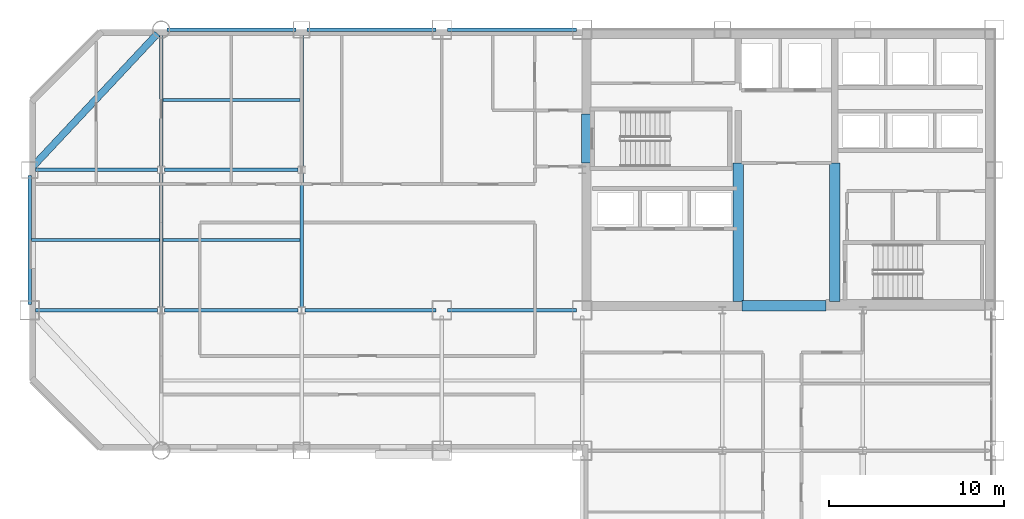
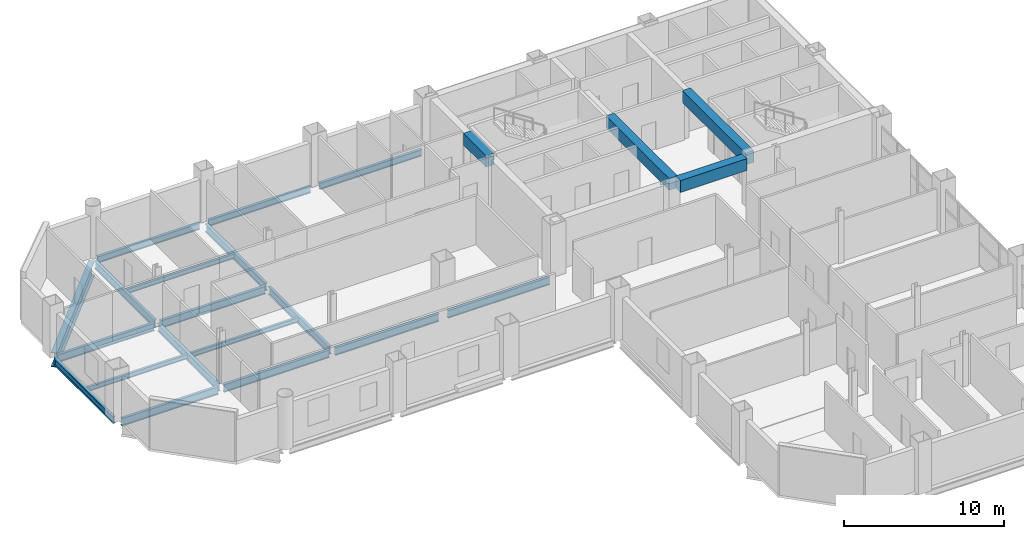
# One storey, part 9 of 16: 22 beams.
"""IFC4 building model written with IfcOpenShell, lengths in metres."""

from ifc_helpers import new_model, si_unit, direction, frame, origin, origin_2d, place, context, subcontext, project, spatial, rectangle, i_section, extrude, material, material_profile, profile_set, type_object, element, save


model = new_model("IFC4")

# Units and contexts
model_context = context("Model", 3, precision=1e-05, world=origin(), true_north=direction((0.0, 1.0)))
body_context = subcontext(model_context, "Body", "Model", "MODEL_VIEW")
ifc_project = project(units=[si_unit("LENGTHUNIT", "METRE"), si_unit("AREAUNIT", "SQUARE_METRE"), si_unit("VOLUMEUNIT", "CUBIC_METRE"), si_unit("PLANEANGLEUNIT", "RADIAN"), si_unit("MASSUNIT", "GRAM", prefix="KILO")], contexts=[model_context])

# Site, building, storey
site_placement = place(None, origin())
site = spatial("IfcSite", under=ifc_project, at=site_placement, CompositionType="ELEMENT")
building_placement = place(site_placement, origin())
building = spatial("IfcBuilding", under=site, at=building_placement, Name="Qianrong Seaharbour Tower", CompositionType="ELEMENT")
storey_placement = place(building_placement, frame((0.0, 0.0, 127.0)))
storey = spatial("IfcBuildingStorey", under=building, at=storey_placement, Name="L30", CompositionType="ELEMENT", Elevation=127.0)

# Beams
ifc_material_1 = material(Name="Structural steel SN490B", Category="steel")
ifc_material_profile_1 = material_profile(ifc_material_1, i_section(OverallWidth=0.199951171875, OverallDepth=0.60009765625, WebThickness=0.010986328125, FlangeThickness=0.01708984375, FilletRadius=0.02197265625, at=origin_2d()), Name="H600x200x11x17")
ifc_profile_set_1 = profile_set([ifc_material_profile_1], Name="Structural steel SN490B")
beam_type_1 = type_object("IfcBeamType", Name="BM-G-600", PredefinedType="BEAM", material=ifc_profile_set_1)
beam_1_placement = place(storey_placement, frame((9.320068359375, 36.0, -0.534912109375), z_axis=(1.0, 0.0, 0.0), x_axis=(0.0, 1.0, 0.0)))
element("IfcBeam", 1, at=beam_1_placement, inside=storey, type_object=beam_type_1, Name="L30 Primary Girder GF G2-G3", PredefinedType="BEAM", context=body_context, shape_type="SweptSolid", body=[
    extrude(i_section(OverallWidth=0.199951171875, OverallDepth=0.60009765625, WebThickness=0.010986328125, FlangeThickness=0.01708984375, FilletRadius=0.02197265625, at=origin_2d()), origin(), (0.0, 0.0, 1.0), 6.97998046875),
])
beam_2_placement = place(storey_placement, frame((16.699951171875, 36.0, -0.534912109375), z_axis=(1.0, 0.0, 0.0), x_axis=(0.0, 1.0, 0.0)))
element("IfcBeam", 2, at=beam_2_placement, inside=storey, type_object=beam_type_1, Name="L30 Primary Girder GF G3-G4", PredefinedType="BEAM", context=body_context, shape_type="SweptSolid", body=[
    extrude(i_section(OverallWidth=0.199951171875, OverallDepth=0.60009765625, WebThickness=0.010986328125, FlangeThickness=0.01708984375, FilletRadius=0.02197265625, at=origin_2d()), origin(), (0.0, 0.0, 1.0), 7.60009765625),
])
beam_3_placement = place(storey_placement, frame((24.699951171875, 36.0, -0.534912109375), z_axis=(1.0, 0.0, 0.0), x_axis=(0.0, 1.0, 0.0)))
element("IfcBeam", 3, at=beam_3_placement, inside=storey, type_object=beam_type_1, Name="L30 Primary Girder GF G4-G5", PredefinedType="BEAM", context=body_context, shape_type="SweptSolid", body=[
    extrude(i_section(OverallWidth=0.199951171875, OverallDepth=0.60009765625, WebThickness=0.010986328125, FlangeThickness=0.01708984375, FilletRadius=0.02197265625, at=origin_2d()), origin(), (0.0, 0.0, 1.0), 7.47998046875),
])
beam_4_placement = place(storey_placement, frame((32.820068359375, 36.0, -0.534912109375), z_axis=(1.0, 0.0, 0.0), x_axis=(0.0, 1.0, 0.0)))
element("IfcBeam", 4, at=beam_4_placement, inside=storey, type_object=beam_type_1, Name="L30 Primary Girder GF G5-G6", PredefinedType="BEAM", context=body_context, shape_type="SweptSolid", body=[
    extrude(i_section(OverallWidth=0.199951171875, OverallDepth=0.60009765625, WebThickness=0.010986328125, FlangeThickness=0.01708984375, FilletRadius=0.02197265625, at=origin_2d()), origin(), (0.0, 0.0, 1.0), 7.35986328125),
])
beam_5_placement = place(storey_placement, frame((9.320068359375, 44.0, -0.534912109375), z_axis=(1.0, 0.0, 0.0), x_axis=(0.0, 1.0, 0.0)))
element("IfcBeam", 5, at=beam_5_placement, inside=storey, type_object=beam_type_1, Name="L30 Primary Girder GG G2-G3", PredefinedType="BEAM", context=body_context, shape_type="SweptSolid", body=[
    extrude(i_section(OverallWidth=0.199951171875, OverallDepth=0.60009765625, WebThickness=0.010986328125, FlangeThickness=0.01708984375, FilletRadius=0.02197265625, at=origin_2d()), origin(), (0.0, 0.0, 1.0), 6.97998046875),
])
for number, where, z_axis, x_axis, name in (
    (6, (16.699951171875, 44.0, -0.534912109375), (1.0, 0.0, 0.0), (0.0, 1.0, 0.0), "L30 Primary Girder GG G3-G4"),
    (7, (16.5, 36.199951171875, -0.534912109375), (0.0, 1.0, 0.0), (-1.0, 0.0, 0.0), "L30 Primary Girder G3 GF-GG"),
):
    element("IfcBeam", number, at=place(storey_placement, frame(where, z_axis=z_axis, x_axis=x_axis)), inside=storey, type_object=beam_type_1, Name=name, PredefinedType="BEAM", context=body_context, shape_type="SweptSolid", body=[
        extrude(i_section(OverallWidth=0.199951171875, OverallDepth=0.60009765625, WebThickness=0.010986328125, FlangeThickness=0.01708984375, FilletRadius=0.02197265625, at=origin_2d()), origin(), (0.0, 0.0, 1.0), 7.60009765625),
    ])
beam_6_placement = place(storey_placement, frame((16.5, 44.199951171875, -0.534912109375), z_axis=(0.0, 1.0, 0.0), x_axis=(-1.0, 0.0, 0.0)))
element("IfcBeam", 8, at=beam_6_placement, inside=storey, type_object=beam_type_1, Name="L30 Primary Girder G3 GG-GH", PredefinedType="BEAM", context=body_context, shape_type="SweptSolid", body=[
    extrude(i_section(OverallWidth=0.199951171875, OverallDepth=0.60009765625, WebThickness=0.010986328125, FlangeThickness=0.01708984375, FilletRadius=0.02197265625, at=origin_2d()), origin(), (0.0, 0.0, 1.0), 7.47998046875),
])
beam_7_placement = place(storey_placement, frame((24.5, 36.199951171875, -0.534912109375), z_axis=(0.0, 1.0, 0.0), x_axis=(-1.0, 0.0, 0.0)))
element("IfcBeam", 9, at=beam_7_placement, inside=storey, type_object=beam_type_1, Name="L30 Primary Girder G4 GF-GG", PredefinedType="BEAM", context=body_context, shape_type="SweptSolid", body=[
    extrude(i_section(OverallWidth=0.199951171875, OverallDepth=0.60009765625, WebThickness=0.010986328125, FlangeThickness=0.01708984375, FilletRadius=0.02197265625, at=origin_2d()), origin(), (0.0, 0.0, 1.0), 7.60009765625),
])
beam_8_placement = place(storey_placement, frame((24.5, 44.199951171875, -0.534912109375), z_axis=(0.0, 1.0, 0.0), x_axis=(-1.0, 0.0, 0.0)))
element("IfcBeam", 10, at=beam_8_placement, inside=storey, type_object=beam_type_1, Name="L30 Primary Girder G4 GG-GH", PredefinedType="BEAM", context=body_context, shape_type="SweptSolid", body=[
    extrude(i_section(OverallWidth=0.199951171875, OverallDepth=0.60009765625, WebThickness=0.010986328125, FlangeThickness=0.01708984375, FilletRadius=0.02197265625, at=origin_2d()), origin(), (0.0, 0.0, 1.0), 7.47998046875),
])
ifc_material_2 = material(Name="Structural steel SN400B", Category="steel")
ifc_material_profile_2 = material_profile(ifc_material_2, i_section(OverallWidth=0.175048828125, OverallDepth=0.35009765625, WebThickness=0.007080078125, FlangeThickness=0.010986328125, FilletRadius=0.013916015625, at=origin_2d()), Name="H350x175x7x11")
ifc_profile_set_2 = profile_set([ifc_material_profile_2], Name="Structural steel SN400B")
beam_type_2 = type_object("IfcBeamType", Name="BM-J-350", PredefinedType="JOIST", material=ifc_profile_set_2)
beam_9_placement = place(storey_placement, frame((9.10009765625, 40.0, -0.409912109375), z_axis=(1.0, 0.0, 0.0), x_axis=(0.0, 1.0, 0.0)))
element("IfcBeam", 11, at=beam_9_placement, inside=storey, type_object=beam_type_2, Name="L30 Composite Floor Joist G2-G3/GF-GG", PredefinedType="JOIST", context=body_context, shape_type="SweptSolid", body=[
    extrude(i_section(OverallWidth=0.175048828125, OverallDepth=0.35009765625, WebThickness=0.007080078125, FlangeThickness=0.010986328125, FilletRadius=0.013916015625, at=origin_2d()), origin(), (0.0, 0.0, 1.0), 7.2998046875),
])
for number, where, z_axis, x_axis, name in (
    (12, (16.60009765625, 40.0, -0.409912109375), (1.0, 0.0, 0.0), (0.0, 1.0, 0.0), "L30 Composite Floor Joist G3-G4/GF-GG"),
    (13, (16.60009765625, 48.0, -0.409912109375), (1.0, 0.0, 0.0), (0.0, 1.0, 0.0), "L30 Composite Floor Joist G3-G4/GG-GH"),
):
    element("IfcBeam", number, at=place(storey_placement, frame(where, z_axis=z_axis, x_axis=x_axis)), inside=storey, type_object=beam_type_2, Name=name, PredefinedType="JOIST", context=body_context, shape_type="SweptSolid", body=[
        extrude(i_section(OverallWidth=0.175048828125, OverallDepth=0.35009765625, WebThickness=0.007080078125, FlangeThickness=0.010986328125, FilletRadius=0.013916015625, at=origin_2d()), origin(), (0.0, 0.0, 1.0), 7.7998046875),
    ])
ifc_material_3 = material(Name="Concrete C70/85", Category="concrete")
ifc_material_profile_3 = material_profile(ifc_material_3, rectangle(XDim=0.60009765625, YDim=0.89990234375, at=origin_2d()), Name="RC600x900")
ifc_profile_set_3 = profile_set([ifc_material_profile_3], Name="Concrete C70/85")
beam_type_3 = type_object("IfcBeamType", Name="BM-LINTEL-900", PredefinedType="LINTEL", material=ifc_profile_set_3)
beam_10_placement = place(storey_placement, frame((40.75, 44.39990234375, 3.31494140625), z_axis=(0.0, 1.0, 0.0), x_axis=(-1.0, 0.0, 0.0)))
element("IfcBeam", 14, at=beam_10_placement, inside=storey, type_object=beam_type_3, Name="L30 Core Coupling Lintel Beam West", PredefinedType="LINTEL", context=body_context, shape_type="SweptSolid", body=[
    extrude(rectangle(XDim=0.60009765625, YDim=0.89990234375, at=origin_2d()), origin(), (0.0, 0.0, 1.0), 2.800048828125),
])
beam_11_placement = place(storey_placement, frame((49.60009765625, 36.25, 3.31494140625), z_axis=(1.0, 0.0, 0.0), x_axis=(0.0, 1.0, 0.0)))
element("IfcBeam", 15, at=beam_11_placement, inside=storey, type_object=beam_type_3, Name="L30 Core Coupling Lintel Beam CBC", PredefinedType="LINTEL", context=body_context, shape_type="SweptSolid", body=[
    extrude(rectangle(XDim=0.60009765625, YDim=0.89990234375, at=origin_2d()), origin(), (0.0, 0.0, 1.0), 4.7998046875),
])
for number, where, z_axis, x_axis, name in (
    (16, (49.39990234375, 36.5, 3.31494140625), (0.0, 1.0, 0.0), (-1.0, 0.0, 0.0), "L30 Internal Core Coupling Beam IW1"),
    (17, (54.89990234375, 36.5, 3.31494140625), (0.0, 1.0, 0.0), (-1.0, 0.0, 0.0), "L30 Internal Core Coupling Beam IW2"),
):
    element("IfcBeam", number, at=place(storey_placement, frame(where, z_axis=z_axis, x_axis=x_axis)), inside=storey, type_object=beam_type_3, Name=name, PredefinedType="LINTEL", context=body_context, shape_type="SweptSolid", body=[
        extrude(rectangle(XDim=0.60009765625, YDim=0.89990234375, at=origin_2d()), origin(), (0.0, 0.0, 1.0), 7.89990234375),
    ])
ifc_material_profile_4 = material_profile(ifc_material_1, i_section(OverallWidth=0.199951171875, OverallDepth=0.5, WebThickness=0.010009765625, FlangeThickness=0.01611328125, FilletRadius=0.02001953125, at=origin_2d()), Name="H500x200x10x16")
ifc_profile_set_4 = profile_set([ifc_material_profile_4], Name="Structural steel SN490B")
beam_type_4 = type_object("IfcBeamType", Name="BM-SP-500", PredefinedType="SPANDREL", material=ifc_profile_set_4)
for number, where, z_axis, x_axis, name in (
    (18, (16.820068359375, 52.0, -0.485107421875), (1.0, 0.0, 0.0), (0.0, 1.0, 0.0), "L30 Spandrel Girder GH G3-G4"),
    (19, (24.820068359375, 52.0, -0.485107421875), (1.0, 0.0, 0.0), (0.0, 1.0, 0.0), "L30 Spandrel Girder GH G4-G5"),
    (20, (32.820068359375, 52.0, -0.485107421875), (1.0, 0.0, 0.0), (0.0, 1.0, 0.0), "L30 Spandrel Girder GH G5-G6"),
    (21, (9.0, 36.320068359375, -0.485107421875), (0.0, 1.0, 0.0), (-1.0, 0.0, 0.0), "L30 Spandrel Girder G2 GF-GG"),
):
    element("IfcBeam", number, at=place(storey_placement, frame(where, z_axis=z_axis, x_axis=x_axis)), inside=storey, type_object=beam_type_4, Name=name, PredefinedType="SPANDREL", context=body_context, shape_type="SweptSolid", body=[
        extrude(i_section(OverallWidth=0.199951171875, OverallDepth=0.5, WebThickness=0.010009765625, FlangeThickness=0.01611328125, FilletRadius=0.02001953125, at=origin_2d()), origin(), (0.0, 0.0, 1.0), 7.35986328125),
    ])
ifc_material_profile_5 = material_profile(ifc_material_1, i_section(OverallWidth=0.39990234375, OverallDepth=1.10009765625, WebThickness=0.02001953125, FlangeThickness=0.035888671875, at=origin_2d()), Name="BH1100x400x20x36")
ifc_profile_set_5 = profile_set([ifc_material_profile_5], Name="Structural steel SN490B")
beam_type_5 = type_object("IfcBeamType", Name="BM-TG-1100", PredefinedType="BEAM", material=ifc_profile_set_5)
beam_12_placement = place(storey_placement, frame((16.28125, 51.7666015625, -0.784912109375), z_axis=(-0.683947420573, -0.729531305628, 0.0), x_axis=(0.729531305628, -0.683947420573, 0.0)))
element("IfcBeam", 22, at=beam_12_placement, inside=storey, type_object=beam_type_5, Name="L30 Chamfer Corner Spandrel Girder G2/GH", PredefinedType="BEAM", context=body_context, shape_type="SweptSolid", body=[
    extrude(i_section(OverallWidth=0.39990234375, OverallDepth=1.10009765625, WebThickness=0.02001953125, FlangeThickness=0.035888671875, at=origin_2d()), origin(), (0.0, 0.0, 1.0), 10.326171875),
])

save(model, "model.ifc")
